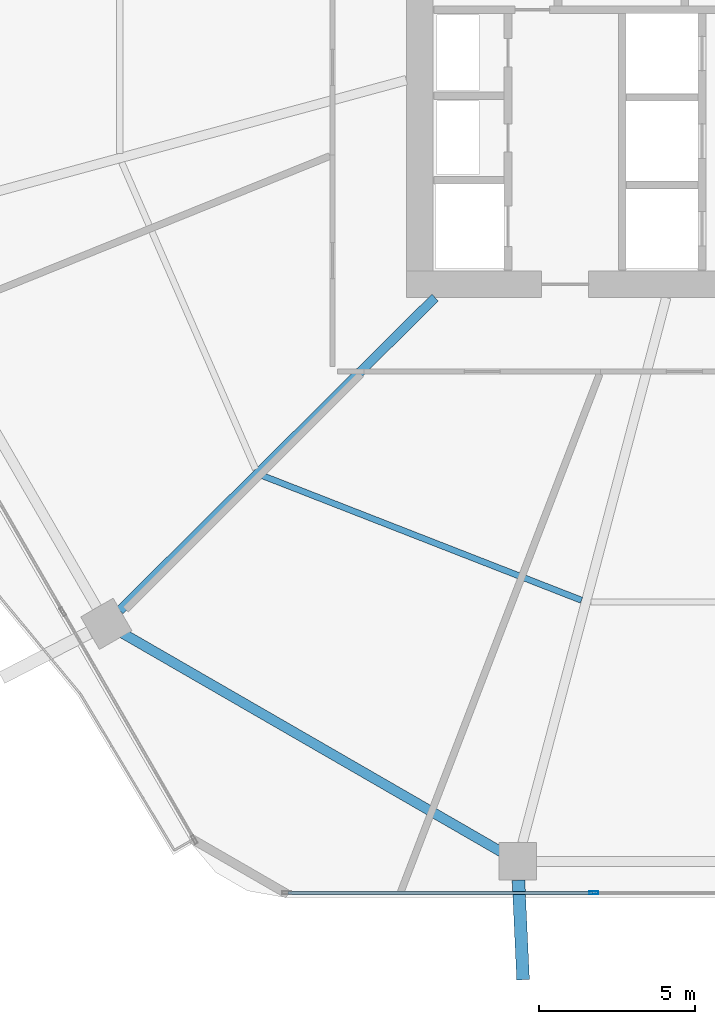
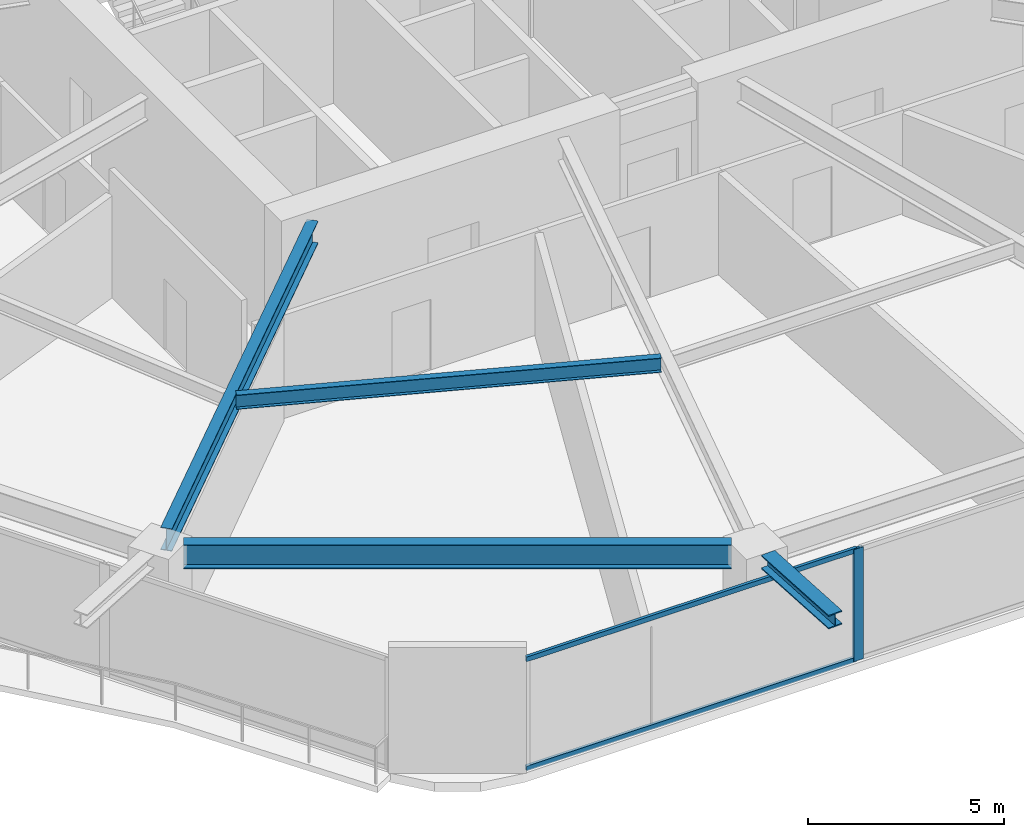
# One storey, part 3 of 27: 4 beams, 3 members, 1 element without a shape of its own.
"""IFC4 building model written with IfcOpenShell, lengths in metres."""

from ifc_helpers import new_model, si_unit, direction, frame, origin, origin_2d, place, context, subcontext, project, spatial, hollow_rectangle, i_section, extrude, material, material_profile, profile_set, type_object, element, aggregate, save


model = new_model("IFC4")

# Units and contexts
model_context = context("Model", 3, precision=1e-05, world=origin(), true_north=direction((0.0, 1.0)))
body_context = subcontext(model_context, "Body", "Model", "MODEL_VIEW")
ifc_project = project(units=[si_unit("LENGTHUNIT", "METRE"), si_unit("AREAUNIT", "SQUARE_METRE"), si_unit("VOLUMEUNIT", "CUBIC_METRE"), si_unit("PLANEANGLEUNIT", "RADIAN"), si_unit("MASSUNIT", "GRAM", prefix="KILO")], contexts=[model_context])

# Site, building, storey
site_placement = place(None, origin())
site = spatial("IfcSite", under=ifc_project, at=site_placement, CompositionType="ELEMENT")
building_placement = place(site_placement, origin())
building = spatial("IfcBuilding", under=site, at=building_placement, Name="Zuhravey Tower", CompositionType="ELEMENT")
storey_placement = place(building_placement, frame((0.0, 0.0, 12.0)))
storey = spatial("IfcBuildingStorey", under=building, at=storey_placement, Name="L03", CompositionType="ELEMENT", Elevation=12.0)

# Curtain wall, members
ifc_material_1 = material(Name="Thermally broken anodised aluminium", Category="aluminium")
curtain_wall_type = type_object("IfcCurtainWallType", Name="School Low-E Unitised Curtain Wall CW1", PredefinedType="NOTDEFINED", material=ifc_material_1)
curtain_wall_placement = place(storey_placement, origin())
curtain_wall = element("IfcCurtainWall", 1, at=curtain_wall_placement, inside=storey, type_object=curtain_wall_type, Name="L03 CW1 CW-L03-F5-1", PredefinedType="NOTDEFINED")
ifc_material_2 = material(Name="Anodised aluminium", Category="aluminium")
ifc_material_profile_1 = material_profile(ifc_material_2, hollow_rectangle(XDim=0.090087890625, YDim=0.284912109375, WallThickness=0.0048828125, at=origin_2d()), Name="ALU-RHS-90x285x5")
ifc_profile_set_1 = profile_set([ifc_material_profile_1], Name="Anodised aluminium")
member_type_1 = type_object("IfcMemberType", Name="Curtain-Wall Mullion 90x180", PredefinedType="MULLION", material=ifc_profile_set_1)
member_1_placement = place(storey_placement, frame((31.06689453125, 3.04150390625, 0.0), z_axis=(0.0, 0.0, 1.0), x_axis=(0.0, -1.0, 0.0)))
member_1 = element("IfcMember", 2, at=member_1_placement, type_object=member_type_1, Name="CW1 mullion 3", PredefinedType="MULLION", context=body_context, shape_type="SweptSolid", body=[
    extrude(hollow_rectangle(XDim=0.090087890625, YDim=0.284912109375, WallThickness=0.0048828125, at=origin_2d()), origin(), (0.0, 0.0, 1.0), 3.491943359375),
])
ifc_material_profile_2 = material_profile(ifc_material_2, hollow_rectangle(XDim=0.090087890625, YDim=0.14990234375, WallThickness=0.0048828125, at=origin_2d()), Name="ALU-RHS-90x150x5")
ifc_profile_set_2 = profile_set([ifc_material_profile_2], Name="Anodised aluminium")
member_type_2 = type_object("IfcMemberType", Name="Curtain-Wall Transom 90x150", PredefinedType="USERDEFINED", material=ifc_profile_set_2)
member_2_placement = place(storey_placement, frame((31.021728515625, 3.04150390625, 0.044921875), z_axis=(-1.0, 0.0, 0.0), x_axis=(0.0, -1.0, 0.0)))
member_2 = element("IfcMember", 3, at=member_2_placement, type_object=member_type_2, Name="CW1 transom 3.1", ObjectType="TRANSOM", PredefinedType="USERDEFINED", context=body_context, shape_type="SweptSolid", body=[
    extrude(hollow_rectangle(XDim=0.090087890625, YDim=0.14990234375, WallThickness=0.0048828125, at=origin_2d()), origin(), (0.0, 0.0, 1.0), 9.731201171875),
])
member_3_placement = place(storey_placement, frame((31.021728515625, 3.04150390625, 3.447021484375), z_axis=(-1.0, 0.0, 0.0), x_axis=(0.0, -1.0, 0.0)))
member_3 = element("IfcMember", 4, at=member_3_placement, type_object=member_type_2, Name="CW1 transom 3.2", ObjectType="TRANSOM", PredefinedType="USERDEFINED", context=body_context, shape_type="SweptSolid", body=[
    extrude(hollow_rectangle(XDim=0.090087890625, YDim=0.14990234375, WallThickness=0.0048828125, at=origin_2d()), origin(), (0.0, 0.0, 1.0), 9.731201171875),
])
aggregate(curtain_wall, [member_1, member_2, member_3])

# Beams
ifc_material_3 = material(Name="Steel SM460", Category="steel")
ifc_material_profile_3 = material_profile(ifc_material_3, i_section(OverallWidth=0.406982421875, OverallDepth=0.427978515625, WebThickness=0.02001953125, FlangeThickness=0.034912109375, at=origin_2d()), Name="H-428x407x20x35")
ifc_profile_set_3 = profile_set([ifc_material_profile_3], Name="Steel SM460")
beam_type_1 = type_object("IfcBeamType", Name="Exoskeleton Node Tie Beam H428x407", PredefinedType="BEAM", material=ifc_profile_set_3)
beam_1_placement = place(storey_placement, frame((28.657958984375, 3.447509765625, 3.7060546875), z_axis=(0.046308390772, -0.998927191012, 0.0), x_axis=(0.998927191012, 0.046308390772, 0.0)))
element("IfcBeam", 5, at=beam_1_placement, inside=storey, type_object=beam_type_1, Name="L03 Exoskeleton Node Tie NT1-09", PredefinedType="BEAM", context=body_context, shape_type="SweptSolid", body=[
    extrude(i_section(OverallWidth=0.406982421875, OverallDepth=0.427978515625, WebThickness=0.02001953125, FlangeThickness=0.034912109375, at=origin_2d()), origin(), (0.0, 0.0, 1.0), 3.184326171875),
])
ifc_material_4 = material(Name="Steel SM355", Category="steel")
ifc_material_profile_4 = material_profile(ifc_material_4, i_section(OverallWidth=0.320068359375, OverallDepth=0.75, WebThickness=0.013916015625, FlangeThickness=0.02490234375, at=origin_2d()), Name="H-750x320x14x25")
ifc_profile_set_4 = profile_set([ifc_material_profile_4], Name="Steel SM355")
beam_type_2 = type_object("IfcBeamType", Name="Perimeter Ring Beam H750x320", PredefinedType="BEAM", material=ifc_profile_set_4)
beam_2_placement = place(storey_placement, frame((16.003173828125, 11.341552734375, 3.544921875), z_axis=(0.866029969761, -0.499992091414, 0.0), x_axis=(0.499992091414, 0.866029969761, 0.0)))
element("IfcBeam", 6, at=beam_2_placement, inside=storey, type_object=beam_type_2, Name="L03 PB1 BM-L03-PB-08", PredefinedType="BEAM", context=body_context, shape_type="SweptSolid", body=[
    extrude(i_section(OverallWidth=0.320068359375, OverallDepth=0.75, WebThickness=0.013916015625, FlangeThickness=0.02490234375, at=origin_2d()), origin(), (0.0, 0.0, 1.0), 13.977294921875),
])
ifc_material_profile_5 = material_profile(ifc_material_4, i_section(OverallWidth=0.300048828125, OverallDepth=0.699951171875, WebThickness=0.012939453125, FlangeThickness=0.02392578125, at=origin_2d()), Name="H-700x300x13x24")
ifc_profile_set_5 = profile_set([ifc_material_profile_5], Name="Steel SM355")
beam_type_3 = type_object("IfcBeamType", Name="Radial Primary Girder H700x300", PredefinedType="BEAM", material=ifc_profile_set_5)
beam_3_placement = place(storey_placement, frame((25.992919921875, 22.072021484375, 3.570068359375), z_axis=(-0.709902823282, -0.704299639, 0.0), x_axis=(0.704299639, -0.709902823282, 0.0)))
element("IfcBeam", 7, at=beam_3_placement, inside=storey, type_object=beam_type_3, Name="L03 RG1 BM-L03-RAD-08", PredefinedType="BEAM", context=body_context, shape_type="SweptSolid", body=[
    extrude(i_section(OverallWidth=0.300048828125, OverallDepth=0.699951171875, WebThickness=0.012939453125, FlangeThickness=0.02392578125, at=origin_2d()), origin(), (0.0, 0.0, 1.0), 14.204345703125),
])
ifc_material_profile_6 = material_profile(ifc_material_4, i_section(OverallWidth=0.199951171875, OverallDepth=0.449951171875, WebThickness=0.009033203125, FlangeThickness=0.013916015625, at=origin_2d()), Name="H-450x200x9x14")
ifc_profile_set_6 = profile_set([ifc_material_profile_6], Name="Steel SM355")
beam_type_4 = type_object("IfcBeamType", Name="Secondary Floor Joist H450x200", PredefinedType="JOIST", material=ifc_profile_set_6)
beam_4_placement = place(storey_placement, frame((20.4599609375, 16.38427734375, 3.695068359375), z_axis=(0.931516535886, -0.363698973562, 0.0), x_axis=(0.363698973562, 0.931516535886, 0.0)))
element("IfcBeam", 8, at=beam_4_placement, inside=storey, type_object=beam_type_4, Name="L03 SJ1 BM-L03-SJ-08-1", PredefinedType="JOIST", context=body_context, shape_type="SweptSolid", body=[
    extrude(i_section(OverallWidth=0.199951171875, OverallDepth=0.449951171875, WebThickness=0.009033203125, FlangeThickness=0.013916015625, at=origin_2d()), origin(), (0.0, 0.0, 1.0), 10.963134765625),
])

save(model, "model.ifc")
